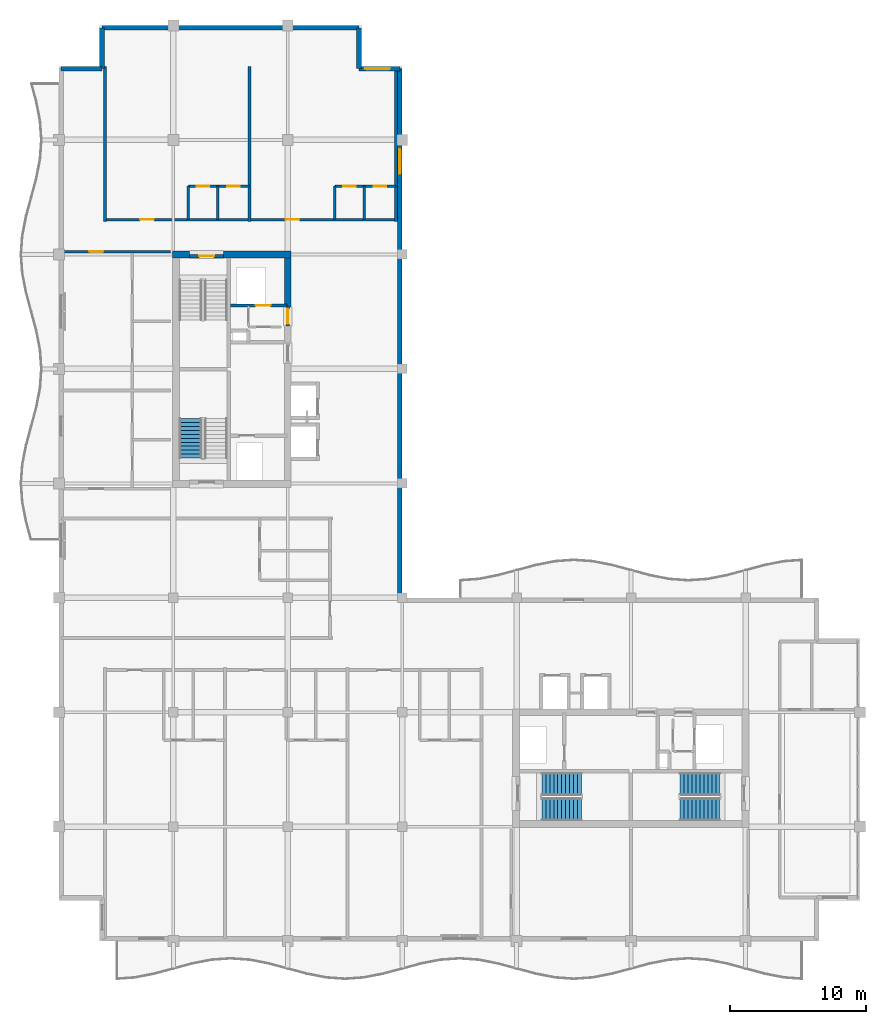
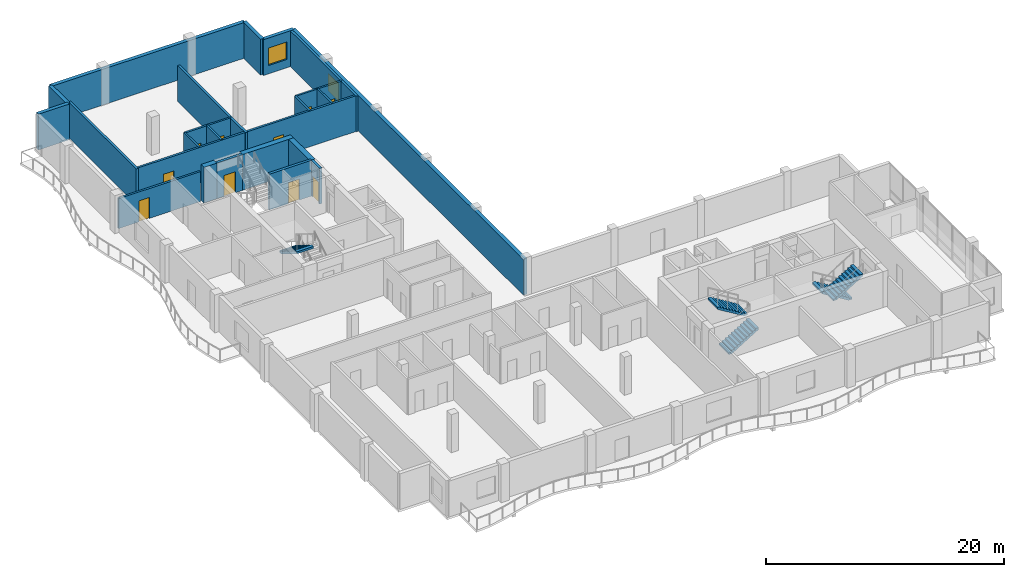
# One storey, part 10 of 14: 23 walls, 10 doors, 5 stair flights, 2 windows, 12 openings, 3 elements without a shape of their own.
"""IFC4 building model written with IfcOpenShell, lengths in metres."""

from ifc_helpers import new_model, si_unit, direction, frame, frame_2d, origin, place, context, subcontext, project, spatial, polyline, rectangle, outline, extrude, material, layer, layer_set, type_object, element, fill, aggregate, save


model = new_model("IFC4")

# Units and contexts
model_context = context("Model", 3, precision=1e-05, world=origin(), true_north=direction((0.0, 1.0)))
body_context = subcontext(model_context, "Body", "Model", "MODEL_VIEW")
ifc_project = project(units=[si_unit("LENGTHUNIT", "METRE"), si_unit("AREAUNIT", "SQUARE_METRE"), si_unit("VOLUMEUNIT", "CUBIC_METRE"), si_unit("PLANEANGLEUNIT", "RADIAN"), si_unit("MASSUNIT", "GRAM", prefix="KILO")], contexts=[model_context])

# Site, building, storey
site_placement = place(None, origin())
site = spatial("IfcSite", under=ifc_project, at=site_placement, CompositionType="ELEMENT")
building_placement = place(site_placement, origin())
building = spatial("IfcBuilding", under=site, at=building_placement, Name="Koriwani Terraces Tower", CompositionType="ELEMENT")
storey_placement = place(building_placement, frame((0.0, 0.0, 308.60009765625)))
storey = spatial("IfcBuildingStorey", under=building, at=storey_placement, Name="L76", CompositionType="ELEMENT", Elevation=308.60009765625)

# Walls
ifc_material_1 = material(Name="Concrete C50/60", Category="concrete")
ifc_layer_1 = layer(ifc_material_1, 0.5, Name="Concrete C50/60")
ifc_layer_set_1 = layer_set([ifc_layer_1], Name="Concrete C50/60")
wall_type_1 = type_object("IfcWallType", Name="WALL_CORE_RC_500", PredefinedType="SHEAR", material=ifc_layer_set_1)
wall_1_placement = place(storey_placement, frame((16.75, 58.800048828125, 0.0), z_axis=(0.0, 0.0, 1.0), x_axis=(1.0, 0.0, 0.0)))
element("IfcWall", 1, at=wall_1_placement, inside=storey, type_object=wall_type_1, Name="L76 West Split Core Shear Wall N1", PredefinedType="SHEAR", context=body_context, shape_type="SweptSolid", body=[
    extrude(rectangle(XDim=1.25, YDim=0.5, at=frame_2d((0.625, 0.0))), origin(), (0.0, 0.0, 1.0), 3.669921875),
])
wall_2_placement = place(storey_placement, frame((20.5, 58.800048828125, 0.0), z_axis=(0.0, 0.0, 1.0), x_axis=(1.0, 0.0, 0.0)))
element("IfcWall", 2, at=wall_2_placement, inside=storey, type_object=wall_type_1, Name="L76 West Split Core Shear Wall N2", PredefinedType="SHEAR", context=body_context, shape_type="SweptSolid", body=[
    extrude(rectangle(XDim=4.949951171875, YDim=0.5, at=frame_2d((2.47509765625, 0.0))), origin(), (0.0, 0.0, 1.0), 3.669921875),
])
wall_3_placement = place(storey_placement, frame((25.199951171875, 54.949951171875, 0.0), z_axis=(0.0, 0.0, 1.0), x_axis=(0.0, 1.0, 0.0)))
element("IfcWall", 3, at=wall_3_placement, inside=storey, type_object=wall_type_1, Name="L76 West Split Core Shear Wall E3", PredefinedType="SHEAR", context=body_context, shape_type="SweptSolid", body=[
    extrude(rectangle(XDim=3.60009765625, YDim=0.5, at=frame_2d((1.800048828125, 0.0))), origin(), (0.0, 0.0, 1.0), 3.669921875),
])

# Wall, opening, door
ifc_material_2 = material(Name="Autoclaved Cellular Concrete Blockwork", Category="masonry")
ifc_layer_2 = layer(ifc_material_2, 0.199951171875, Name="Autoclaved Cellular Concrete Blockwork")
ifc_layer_set_2 = layer_set([ifc_layer_2], Name="Autoclaved Cellular Concrete Blockwork")
wall_type_2 = type_object("IfcWallType", Name="WALL_CORRIDOR_200", PredefinedType="PARTITIONING", material=ifc_layer_set_2)
wall_4_placement = place(storey_placement, frame((8.64990234375, 59.0, 0.0), z_axis=(0.0, 0.0, 1.0), x_axis=(1.0, 0.0, 0.0)))
wall_4 = element("IfcWall", 4, at=wall_4_placement, inside=storey, type_object=wall_type_2, Name="L76 Interior Wall WRZ4-WN-L76", PredefinedType="PARTITIONING", context=body_context, shape_type="SweptSolid", body=[
    extrude(rectangle(XDim=7.9501953125, YDim=0.199951171875, at=frame_2d((3.97509765625, 0.0))), origin(), (0.0, 0.0, 1.0), 3.06982421875),
])
opening_1_placement = place(wall_4_placement, frame((2.0, 0.0, 0.0)))
opening_1 = element("IfcOpeningElement", 5, at=opening_1_placement, cuts=wall_4, Name="Opening D-05", PredefinedType="OPENING", context=body_context, shape_type="SweptSolid", body=[
    extrude(rectangle(XDim=1.0, YDim=2.14990234375, at=frame_2d((0.5, 1.074951171875))), frame((0.0, 0.10986328125, 0.0), z_axis=(0.0, -1.0, 0.0), x_axis=(1.0, 0.0, 0.0)), (0.0, 0.0, 1.0), 0.219970703125),
])
ifc_material_3 = material(Name="Architectural Oak Fire Door", Category="wood")
door_type_1 = type_object("IfcDoorType", Name="DOOR_SUITE_ENTRY_1000X2150", OperationType="NOTDEFINED", PredefinedType="DOOR", material=ifc_material_3)
door_1_placement = place(opening_1_placement, origin())
door_1 = element("IfcDoor", 6, at=door_1_placement, inside=storey, type_object=door_type_1, Name="Apartment 76RW2 Entrance Door", OperationType="SINGLE_SWING_LEFT", OverallHeight=2.14990234375, OverallWidth=1.0, PredefinedType="DOOR", context=body_context, shape_type="SweptSolid", body=[
    extrude(rectangle(XDim=1.0, YDim=2.14990234375, at=frame_2d((0.5, 1.074951171875))), frame((0.0, 0.02490234375, 0.0), z_axis=(0.0, -1.0, 0.0), x_axis=(1.0, 0.0, 0.0)), (0.0, 0.0, 1.0), 0.050048828125),
])
fill(opening_1, door_1)

# Wall, openings, doors
wall_5_placement = place(storey_placement, frame((11.800048828125, 61.35009765625, 0.0), z_axis=(0.0, 0.0, 1.0), x_axis=(1.0, 0.0, 0.0)))
wall_5 = element("IfcWall", 7, at=wall_5_placement, inside=storey, type_object=wall_type_2, Name="L76 Interior Wall WRCOR-L76-NTS-0", PredefinedType="PARTITIONING", context=body_context, shape_type="SweptSolid", body=[
    extrude(rectangle(XDim=21.349853515625, YDim=0.199951171875, at=frame_2d((10.6748046875, 0.0))), origin(), (0.0, 0.0, 1.0), 3.669921875),
])
opening_2_placement = place(wall_5_placement, frame((2.570068359375, 0.0, 0.0)))
opening_2 = element("IfcOpeningElement", 8, at=opening_2_placement, cuts=wall_5, Name="Opening D-05", PredefinedType="OPENING", context=body_context, shape_type="SweptSolid", body=[
    extrude(rectangle(XDim=1.0, YDim=2.14990234375, at=frame_2d((0.5, 1.074951171875))), frame((0.0, 0.10986328125, 0.0), z_axis=(0.0, -1.0, 0.0), x_axis=(1.0, 0.0, 0.0)), (0.0, 0.0, 1.0), 0.219970703125),
])
opening_3_placement = place(wall_5_placement, frame((13.2451171875, 0.0, 0.0)))
opening_3 = element("IfcOpeningElement", 9, at=opening_3_placement, cuts=wall_5, Name="Opening D-05", PredefinedType="OPENING", context=body_context, shape_type="SweptSolid", body=[
    extrude(rectangle(XDim=1.0, YDim=2.14990234375, at=frame_2d((0.5, 1.074951171875))), frame((0.0, 0.10986328125, 0.0), z_axis=(0.0, -1.0, 0.0), x_axis=(1.0, 0.0, 0.0)), (0.0, 0.0, 1.0), 0.219970703125),
])
door_2_placement = place(opening_2_placement, origin())
door_2 = element("IfcDoor", 10, at=door_2_placement, inside=storey, type_object=door_type_1, Name="Apartment 76NTS1 Entrance Door", OperationType="SINGLE_SWING_RIGHT", OverallHeight=2.14990234375, OverallWidth=1.0, PredefinedType="DOOR", context=body_context, shape_type="SweptSolid", body=[
    extrude(rectangle(XDim=1.0, YDim=2.14990234375, at=frame_2d((0.5, 1.074951171875))), frame((0.0, 0.02490234375, 0.0), z_axis=(0.0, -1.0, 0.0), x_axis=(1.0, 0.0, 0.0)), (0.0, 0.0, 1.0), 0.050048828125),
])
fill(opening_2, door_2)
door_3_placement = place(opening_3_placement, origin())
door_3 = element("IfcDoor", 11, at=door_3_placement, inside=storey, type_object=door_type_1, Name="Apartment 76NTS2 Entrance Door", OperationType="SINGLE_SWING_LEFT", OverallHeight=2.14990234375, OverallWidth=1.0, PredefinedType="DOOR", context=body_context, shape_type="SweptSolid", body=[
    extrude(rectangle(XDim=1.0, YDim=2.14990234375, at=frame_2d((0.5, 1.074951171875))), frame((0.0, 0.02490234375, 0.0), z_axis=(0.0, -1.0, 0.0), x_axis=(1.0, 0.0, 0.0)), (0.0, 0.0, 1.0), 0.050048828125),
])
fill(opening_3, door_3)

# Walls
ifc_layer_3 = layer(ifc_material_2, 0.219970703125, Name="Autoclaved Cellular Concrete Blockwork")
ifc_layer_set_3 = layer_set([ifc_layer_3], Name="Autoclaved Cellular Concrete Blockwork")
wall_type_3 = type_object("IfcWallType", Name="WALL_DEMISING_220", PredefinedType="PARTITIONING", material=ifc_layer_set_3)
for number, where, z_axis, x_axis, name in (
    (12, (11.800048828125, 61.199951171875, 0.0), (0.0, 0.0, 1.0), (0.0, 1.0, 0.0), "L76 Interior Wall WRDEM-L76-NTS-0"),
    (13, (22.39990234375, 61.199951171875, 0.0), (0.0, 0.0, 1.0), (0.0, 1.0, 0.0), "L76 Interior Wall WRDEM-L76-NTS-1"),
    (14, (33.14990234375, 61.199951171875, 0.0), (0.0, 0.0, 1.0), (0.0, 1.0, 0.0), "L76 Interior Wall WRDEME-L76-NTS"),
):
    element("IfcWall", number, at=place(storey_placement, frame(where, z_axis=z_axis, x_axis=x_axis)), inside=storey, type_object=wall_type_3, Name=name, PredefinedType="PARTITIONING", context=body_context, shape_type="SweptSolid", body=[
        extrude(rectangle(XDim=11.380126953125, YDim=0.219970703125, at=frame_2d((5.68994140625, 0.0))), origin(), (0.0, 0.0, 1.0), 3.669921875),
    ])
ifc_layer_4 = layer(ifc_material_1, 0.35009765625, Name="Concrete C50/60")
ifc_layer_set_4 = layer_set([ifc_layer_4], Name="Concrete C50/60")
wall_type_4 = type_object("IfcWallType", Name="WALL_EXT_BRUTALIST_350", PredefinedType="STANDARD", material=ifc_layer_set_4)
for number, where, z_axis, x_axis, name in (
    (15, (8.574951171875, 72.425048828125, 0.0), (0.0, 0.0, 1.0), (1.0, 0.0, 0.0), "L76 Fair-Faced Brutalist Exterior Wall (N3)"),
    (16, (11.574951171875, 72.425048828125, 0.0), (0.0, 0.0, 1.0), (0.0, 1.0, 0.0), "L76 Fair-Faced Brutalist Exterior Wall (N4)"),
):
    element("IfcWall", number, at=place(storey_placement, frame(where, z_axis=z_axis, x_axis=x_axis)), inside=storey, type_object=wall_type_4, Name=name, PredefinedType="STANDARD", context=body_context, shape_type="SweptSolid", body=[
        extrude(rectangle(XDim=3.0, YDim=0.35009765625, at=frame_2d((1.5, 0.0))), origin(), (0.0, 0.0, 1.0), 3.669921875),
    ])
wall_6_placement = place(storey_placement, frame((11.574951171875, 75.425048828125, 0.0), z_axis=(0.0, 0.0, 1.0), x_axis=(1.0, 0.0, 0.0)))
element("IfcWall", 17, at=wall_6_placement, inside=storey, type_object=wall_type_4, Name="L76 Fair-Faced Brutalist Exterior Wall (N_TIP)", PredefinedType="STANDARD", context=body_context, shape_type="SweptSolid", body=[
    extrude(rectangle(XDim=18.85009765625, YDim=0.35009765625, at=frame_2d((9.425048828125, 0.0))), origin(), (0.0, 0.0, 1.0), 3.669921875),
])
wall_7_placement = place(storey_placement, frame((30.425048828125, 75.425048828125, 0.0), z_axis=(0.0, 0.0, 1.0), x_axis=(0.0, -1.0, 0.0)))
element("IfcWall", 18, at=wall_7_placement, inside=storey, type_object=wall_type_4, Name="L76 Fair-Faced Brutalist Exterior Wall (N6)", PredefinedType="STANDARD", context=body_context, shape_type="SweptSolid", body=[
    extrude(rectangle(XDim=3.0, YDim=0.35009765625, at=frame_2d((1.5, 0.0))), origin(), (0.0, 0.0, 1.0), 3.669921875),
])

# Wall, opening, window
wall_8_placement = place(storey_placement, frame((30.425048828125, 72.425048828125, 0.0), z_axis=(0.0, 0.0, 1.0), x_axis=(1.0, 0.0, 0.0)))
wall_8 = element("IfcWall", 19, at=wall_8_placement, inside=storey, type_object=wall_type_4, Name="L76 Fair-Faced Brutalist Exterior Wall (N7)", PredefinedType="STANDARD", context=body_context, shape_type="SweptSolid", body=[
    extrude(rectangle(XDim=3.0, YDim=0.35009765625, at=frame_2d((1.5, 0.0))), origin(), (0.0, 0.0, 1.0), 3.669921875),
])
opening_4_placement = place(wall_8_placement, frame((0.472412109375, 0.0, 0.85009765625)))
opening_4 = element("IfcOpeningElement", 20, at=opening_4_placement, cuts=wall_8, Name="Opening W-04", PredefinedType="OPENING", context=body_context, shape_type="SweptSolid", body=[
    extrude(rectangle(XDim=1.800048828125, YDim=1.800048828125, at=frame_2d((0.89990234375, 0.89990234375))), frame((0.0, 0.18505859375, 0.0), z_axis=(0.0, -1.0, 0.0), x_axis=(1.0, 0.0, 0.0)), (0.0, 0.0, 1.0), 0.3701171875),
])
ifc_material_4 = material(Name="Tempered Laminated Low-E Glass", Category="glass")
window_type = type_object("IfcWindowType", Name="WIN_RES_BED_1800X1800", PartitioningType="DOUBLE_PANEL_VERTICAL", PredefinedType="WINDOW", material=ifc_material_4)
window_1_placement = place(opening_4_placement, origin())
window_1 = element("IfcWindow", 21, at=window_1_placement, inside=storey, type_object=window_type, Name="L76 Exterior Window (N7-R48)", OverallHeight=1.800048828125, OverallWidth=1.800048828125, PartitioningType="SINGLE_PANEL", PredefinedType="WINDOW", context=body_context, shape_type="SweptSolid", body=[
    extrude(rectangle(XDim=1.800048828125, YDim=1.800048828125, at=frame_2d((0.89990234375, 0.89990234375))), frame((0.0, 0.030029296875, 0.0), z_axis=(0.0, -1.0, 0.0), x_axis=(1.0, 0.0, 0.0)), (0.0, 0.0, 1.0), 0.06005859375),
])
fill(opening_4, window_1)

wall_9_placement = place(storey_placement, frame((33.425048828125, 72.425048828125, 0.0), z_axis=(0.0, 0.0, 1.0), x_axis=(0.0, -1.0, 0.0)))
wall_9 = element("IfcWall", 22, at=wall_9_placement, inside=storey, type_object=wall_type_4, Name="L76 Fair-Faced Brutalist Exterior Wall (NW_IN)", PredefinedType="STANDARD", context=body_context, shape_type="SweptSolid", body=[
    extrude(rectangle(XDim=39.0, YDim=0.35009765625, at=frame_2d((19.5, 0.0))), origin(), (0.0, 0.0, 1.0), 3.669921875),
])
opening_5_placement = place(wall_9_placement, frame((5.89990234375, 0.0, 0.85009765625)))
opening_5 = element("IfcOpeningElement", 23, at=opening_5_placement, cuts=wall_9, Name="Opening W-04", PredefinedType="OPENING", context=body_context, shape_type="SweptSolid", body=[
    extrude(rectangle(XDim=1.800048828125, YDim=1.800048828125, at=frame_2d((0.89990234375, 0.89990234375))), frame((0.0, 0.18505859375, 0.0), z_axis=(0.0, -1.0, 0.0), x_axis=(1.0, 0.0, 0.0)), (0.0, 0.0, 1.0), 0.3701171875),
])
window_2_placement = place(opening_5_placement, origin())
window_2 = element("IfcWindow", 24, at=window_2_placement, inside=storey, type_object=window_type, Name="L76 Exterior Window (NW_IN-R48)", OverallHeight=1.800048828125, OverallWidth=1.800048828125, PartitioningType="SINGLE_PANEL", PredefinedType="WINDOW", context=body_context, shape_type="SweptSolid", body=[
    extrude(rectangle(XDim=1.800048828125, YDim=1.800048828125, at=frame_2d((0.89990234375, 0.89990234375))), frame((0.0, 0.030029296875, 0.0), z_axis=(0.0, -1.0, 0.0), x_axis=(1.0, 0.0, 0.0)), (0.0, 0.0, 1.0), 0.06005859375),
])
fill(opening_5, window_2)

# Wall, openings, doors
ifc_material_5 = material(Name="Fire-Rated Acoustic Gypsum Partition", Category="masonry")
ifc_layer_5 = layer(ifc_material_5, 0.179931640625, Name="Fire-Rated Acoustic Gypsum Partition")
ifc_layer_set_5 = layer_set([ifc_layer_5], Name="Fire-Rated Acoustic Gypsum Partition")
wall_type_5 = type_object("IfcWallType", Name="WALL_PLUMBING_180", PredefinedType="PLUMBINGWALL", material=ifc_layer_set_5)
wall_10_placement = place(storey_placement, frame((17.89990234375, 63.800048828125, 0.0), z_axis=(0.0, 0.0, 1.0), x_axis=(1.0, 0.0, 0.0)))
wall_10 = element("IfcWall", 25, at=wall_10_placement, inside=storey, type_object=wall_type_5, Name="L76 Interior Wall WRSVC-L76-NTS-0", PredefinedType="PLUMBINGWALL", context=body_context, shape_type="SweptSolid", body=[
    extrude(rectangle(XDim=4.5, YDim=0.179931640625, at=frame_2d((2.25, 0.0))), origin(), (0.0, 0.0, 1.0), 3.669921875),
])
opening_6_placement = place(wall_10_placement, frame((0.6298828125, 0.0, 0.0)))
opening_6 = element("IfcOpeningElement", 26, at=opening_6_placement, cuts=wall_10, Name="Opening D-07", PredefinedType="OPENING", context=body_context, shape_type="SweptSolid", body=[
    extrude(rectangle(XDim=0.89990234375, YDim=2.10009765625, at=frame_2d((0.449951171875, 1.050048828125))), frame((0.0, 0.10009765625, 0.0), z_axis=(0.0, -1.0, 0.0), x_axis=(1.0, 0.0, 0.0)), (0.0, 0.0, 1.0), 0.199951171875),
])
opening_7_placement = place(wall_10_placement, frame((2.8701171875, 0.0, 0.0)))
opening_7 = element("IfcOpeningElement", 27, at=opening_7_placement, cuts=wall_10, Name="Opening D-06", PredefinedType="OPENING", context=body_context, shape_type="SweptSolid", body=[
    extrude(rectangle(XDim=0.919921875, YDim=2.10009765625, at=frame_2d((0.4599609375, 1.050048828125))), frame((0.0, 0.10009765625, 0.0), z_axis=(0.0, -1.0, 0.0), x_axis=(1.0, 0.0, 0.0)), (0.0, 0.0, 1.0), 0.199951171875),
])
door_type_2 = type_object("IfcDoorType", Name="DOOR_BATH_INT_900X2100", OperationType="NOTDEFINED", PredefinedType="DOOR", material=ifc_material_3)
door_4_placement = place(opening_6_placement, origin())
door_4 = element("IfcDoor", 28, at=door_4_placement, inside=storey, type_object=door_type_2, Name="Apartment 76NTS1 Bathroom Door", OperationType="SINGLE_SWING_LEFT", OverallHeight=2.10009765625, OverallWidth=0.89990234375, PredefinedType="DOOR", context=body_context, shape_type="SweptSolid", body=[
    extrude(rectangle(XDim=0.89990234375, YDim=2.10009765625, at=frame_2d((0.449951171875, 1.050048828125))), frame((0.0, 0.02490234375, 0.0), z_axis=(0.0, -1.0, 0.0), x_axis=(1.0, 0.0, 0.0)), (0.0, 0.0, 1.0), 0.050048828125),
])
fill(opening_6, door_4)
door_type_3 = type_object("IfcDoorType", Name="DOOR_ROOM_INT_920X2100", OperationType="NOTDEFINED", PredefinedType="DOOR", material=ifc_material_3)
door_5_placement = place(opening_7_placement, origin())
door_5 = element("IfcDoor", 29, at=door_5_placement, inside=storey, type_object=door_type_3, Name="Apartment 76NTS1 Kitchen Door", OperationType="SINGLE_SWING_RIGHT", OverallHeight=2.10009765625, OverallWidth=0.919921875, PredefinedType="DOOR", context=body_context, shape_type="SweptSolid", body=[
    extrude(rectangle(XDim=0.919921875, YDim=2.10009765625, at=frame_2d((0.4599609375, 1.050048828125))), frame((0.0, 0.02490234375, 0.0), z_axis=(0.0, -1.0, 0.0), x_axis=(1.0, 0.0, 0.0)), (0.0, 0.0, 1.0), 0.050048828125),
])
fill(opening_7, door_5)

# Walls
for number, where, z_axis, x_axis, name in (
    (30, (17.89990234375, 61.35009765625, 0.0), (0.0, 0.0, 1.0), (0.0, 1.0, 0.0), "L76 Interior Wall WRSVCS-L76-NTS-0"),
    (31, (20.06005859375, 61.35009765625, 0.0), (0.0, 0.0, 1.0), (0.0, 1.0, 0.0), "L76 Interior Wall WRSVCM-L76-NTS-0"),
):
    element("IfcWall", number, at=place(storey_placement, frame(where, z_axis=z_axis, x_axis=x_axis)), inside=storey, type_object=wall_type_5, Name=name, PredefinedType="PLUMBINGWALL", context=body_context, shape_type="SweptSolid", body=[
        extrude(rectangle(XDim=2.449951171875, YDim=0.179931640625, at=frame_2d((1.22509765625, 0.0))), origin(), (0.0, 0.0, 1.0), 3.669921875),
    ])

# Wall, openings, doors
wall_11_placement = place(storey_placement, frame((28.64990234375, 63.800048828125, 0.0), z_axis=(0.0, 0.0, 1.0), x_axis=(1.0, 0.0, 0.0)))
wall_11 = element("IfcWall", 32, at=wall_11_placement, inside=storey, type_object=wall_type_5, Name="L76 Interior Wall WRSVC-L76-NTS-1", PredefinedType="PLUMBINGWALL", context=body_context, shape_type="SweptSolid", body=[
    extrude(rectangle(XDim=4.5, YDim=0.179931640625, at=frame_2d((2.25, 0.0))), origin(), (0.0, 0.0, 1.0), 3.669921875),
])
opening_8_placement = place(wall_11_placement, frame((0.6298828125, 0.0, 0.0)))
opening_8 = element("IfcOpeningElement", 33, at=opening_8_placement, cuts=wall_11, Name="Opening D-07", PredefinedType="OPENING", context=body_context, shape_type="SweptSolid", body=[
    extrude(rectangle(XDim=0.89990234375, YDim=2.10009765625, at=frame_2d((0.449951171875, 1.050048828125))), frame((0.0, 0.10009765625, 0.0), z_axis=(0.0, -1.0, 0.0), x_axis=(1.0, 0.0, 0.0)), (0.0, 0.0, 1.0), 0.199951171875),
])
opening_9_placement = place(wall_11_placement, frame((2.8701171875, 0.0, 0.0)))
opening_9 = element("IfcOpeningElement", 34, at=opening_9_placement, cuts=wall_11, Name="Opening D-06", PredefinedType="OPENING", context=body_context, shape_type="SweptSolid", body=[
    extrude(rectangle(XDim=0.919921875, YDim=2.10009765625, at=frame_2d((0.4599609375, 1.050048828125))), frame((0.0, 0.10009765625, 0.0), z_axis=(0.0, -1.0, 0.0), x_axis=(1.0, 0.0, 0.0)), (0.0, 0.0, 1.0), 0.199951171875),
])
door_6_placement = place(opening_8_placement, origin())
door_6 = element("IfcDoor", 35, at=door_6_placement, inside=storey, type_object=door_type_2, Name="Apartment 76NTS2 Bathroom Door", OperationType="SINGLE_SWING_RIGHT", OverallHeight=2.10009765625, OverallWidth=0.89990234375, PredefinedType="DOOR", context=body_context, shape_type="SweptSolid", body=[
    extrude(rectangle(XDim=0.89990234375, YDim=2.10009765625, at=frame_2d((0.449951171875, 1.050048828125))), frame((0.0, 0.02490234375, 0.0), z_axis=(0.0, -1.0, 0.0), x_axis=(1.0, 0.0, 0.0)), (0.0, 0.0, 1.0), 0.050048828125),
])
fill(opening_8, door_6)
door_7_placement = place(opening_9_placement, origin())
door_7 = element("IfcDoor", 36, at=door_7_placement, inside=storey, type_object=door_type_3, Name="Apartment 76NTS2 Kitchen Door", OperationType="SINGLE_SWING_LEFT", OverallHeight=2.10009765625, OverallWidth=0.919921875, PredefinedType="DOOR", context=body_context, shape_type="SweptSolid", body=[
    extrude(rectangle(XDim=0.919921875, YDim=2.10009765625, at=frame_2d((0.4599609375, 1.050048828125))), frame((0.0, 0.02490234375, 0.0), z_axis=(0.0, -1.0, 0.0), x_axis=(1.0, 0.0, 0.0)), (0.0, 0.0, 1.0), 0.050048828125),
])
fill(opening_9, door_7)

# Walls
for number, where, z_axis, x_axis, name in (
    (37, (28.64990234375, 61.35009765625, 0.0), (0.0, 0.0, 1.0), (0.0, 1.0, 0.0), "L76 Interior Wall WRSVCS-L76-NTS-1"),
    (38, (30.81005859375, 61.35009765625, 0.0), (0.0, 0.0, 1.0), (0.0, 1.0, 0.0), "L76 Interior Wall WRSVCM-L76-NTS-1"),
):
    element("IfcWall", number, at=place(storey_placement, frame(where, z_axis=z_axis, x_axis=x_axis)), inside=storey, type_object=wall_type_5, Name=name, PredefinedType="PLUMBINGWALL", context=body_context, shape_type="SweptSolid", body=[
        extrude(rectangle(XDim=2.449951171875, YDim=0.179931640625, at=frame_2d((1.22509765625, 0.0))), origin(), (0.0, 0.0, 1.0), 3.669921875),
    ])

# Wall, opening, door
ifc_material_6 = material(Name="Concrete C40/50", Category="concrete")
ifc_layer_6 = layer(ifc_material_6, 0.25, Name="Concrete C40/50")
ifc_layer_set_6 = layer_set([ifc_layer_6], Name="Concrete C40/50")
wall_type_6 = type_object("IfcWallType", Name="WALL_SHAFT_RATED_250", PredefinedType="SOLIDWALL", material=ifc_layer_set_6)
wall_12_placement = place(storey_placement, frame((18.0, 58.675048828125, 0.0), z_axis=(0.0, 0.0, 1.0), x_axis=(1.0, 0.0, 0.0)))
wall_12 = element("IfcWall", 39, at=wall_12_placement, inside=storey, type_object=wall_type_6, Name="L76 Interior Wall WIN-CW-L76-STN", PredefinedType="SOLIDWALL", context=body_context, shape_type="SweptSolid", body=[
    extrude(rectangle(XDim=2.5, YDim=0.25, at=frame_2d((1.25, 0.0))), origin(), (0.0, 0.0, 1.0), 3.669921875),
])
opening_10_placement = place(wall_12_placement, frame((0.699951171875, 0.0, 0.0)))
opening_10 = element("IfcOpeningElement", 40, at=opening_10_placement, cuts=wall_12, Name="Opening D-03", PredefinedType="OPENING", context=body_context, shape_type="SweptSolid", body=[
    extrude(rectangle(XDim=1.10009765625, YDim=2.14990234375, at=frame_2d((0.550048828125, 1.074951171875))), frame((0.0, 0.135009765625, 0.0), z_axis=(0.0, -1.0, 0.0), x_axis=(1.0, 0.0, 0.0)), (0.0, 0.0, 1.0), 0.27001953125),
])
ifc_material_7 = material(Name="Steel ASTM A572 Grade 50", Category="steel")
door_type_4 = type_object("IfcDoorType", Name="DOOR_STAIR_FIRE_1100X2150", OperationType="NOTDEFINED", PredefinedType="DOOR", material=ifc_material_7)
door_8_placement = place(opening_10_placement, origin())
door_8 = element("IfcDoor", 41, at=door_8_placement, inside=storey, type_object=door_type_4, Name="L76 Exit Stair ST-W2 Door", OperationType="SINGLE_SWING_LEFT", OverallHeight=2.14990234375, OverallWidth=1.10009765625, PredefinedType="DOOR", context=body_context, shape_type="SweptSolid", body=[
    extrude(rectangle(XDim=1.10009765625, YDim=2.14990234375, at=frame_2d((0.550048828125, 1.074951171875))), frame((0.0, 0.02490234375, 0.0), z_axis=(0.0, -1.0, 0.0), x_axis=(1.0, 0.0, 0.0)), (0.0, 0.0, 1.0), 0.050048828125),
])
fill(opening_10, door_8)

wall_13_placement = place(storey_placement, frame((21.0, 55.050048828125, 0.0), z_axis=(0.0, 0.0, 1.0), x_axis=(1.0, 0.0, 0.0)))
wall_13 = element("IfcWall", 42, at=wall_13_placement, inside=storey, type_object=wall_type_6, Name="L76 Interior Wall WIN-CW-L76-SE", PredefinedType="SOLIDWALL", context=body_context, shape_type="SweptSolid", body=[
    extrude(rectangle(XDim=4.14990234375, YDim=0.25, at=frame_2d((2.074951171875, 0.0))), origin(), (0.0, 0.0, 1.0), 3.669921875),
])
opening_11_placement = place(wall_13_placement, frame((1.85009765625, 0.0, 0.0)))
opening_11 = element("IfcOpeningElement", 43, at=opening_11_placement, cuts=wall_13, Name="Opening LD-01", PredefinedType="OPENING", context=body_context, shape_type="SweptSolid", body=[
    extrude(rectangle(XDim=1.10009765625, YDim=2.14990234375, at=frame_2d((0.550048828125, 1.074951171875))), frame((0.0, 0.135009765625, 0.0), z_axis=(0.0, -1.0, 0.0), x_axis=(1.0, 0.0, 0.0)), (0.0, 0.0, 1.0), 0.27001953125),
])
door_type_5 = type_object("IfcDoorType", Name="DOOR_LIFT_LANDING_1100X2200", OperationType="NOTDEFINED", PredefinedType="DOOR", material=ifc_material_7)
door_9_placement = place(opening_11_placement, origin())
door_9 = element("IfcDoor", 44, at=door_9_placement, inside=storey, type_object=door_type_5, Name="L76 Goods Lift SE-01 Landing Door", OperationType="SLIDING_TO_LEFT", OverallHeight=2.14990234375, OverallWidth=1.10009765625, PredefinedType="DOOR", context=body_context, shape_type="SweptSolid", body=[
    extrude(rectangle(XDim=1.10009765625, YDim=2.14990234375, at=frame_2d((0.550048828125, 1.074951171875))), frame((0.0, 0.02490234375, 0.0), z_axis=(0.0, -1.0, 0.0), x_axis=(1.0, 0.0, 0.0)), (0.0, 0.0, 1.0), 0.050048828125),
])
fill(opening_11, door_9)

wall_14_placement = place(storey_placement, frame((25.199951171875, 53.550048828125, 0.0), z_axis=(0.0, 0.0, 1.0), x_axis=(0.0, 1.0, 0.0)))
wall_14 = element("IfcWall", 45, at=wall_14_placement, inside=storey, type_object=wall_type_6, Name="L76 Interior Wall WIN-CW-L76-EP2", PredefinedType="SOLIDWALL", context=body_context, shape_type="SweptSolid", body=[
    extrude(rectangle(XDim=1.39990234375, YDim=0.25, at=frame_2d((0.699951171875, 0.0))), origin(), (0.0, 0.0, 1.0), 3.669921875),
])
opening_12_placement = place(wall_14_placement, frame((0.14990234375, 0.0, 0.0)))
opening_12 = element("IfcOpeningElement", 46, at=opening_12_placement, cuts=wall_14, Name="Opening D-03", PredefinedType="OPENING", context=body_context, shape_type="SweptSolid", body=[
    extrude(rectangle(XDim=1.10009765625, YDim=2.14990234375, at=frame_2d((0.550048828125, 1.074951171875))), frame((0.0, 0.135009765625, 0.0), z_axis=(0.0, -1.0, 0.0), x_axis=(1.0, 0.0, 0.0)), (0.0, 0.0, 1.0), 0.27001953125),
])
door_10_placement = place(opening_12_placement, origin())
door_10 = element("IfcDoor", 47, at=door_10_placement, inside=storey, type_object=door_type_4, Name="L76 West Goods Lift Lobby Door", OperationType="SINGLE_SWING_LEFT", OverallHeight=2.14990234375, OverallWidth=1.10009765625, PredefinedType="DOOR", context=body_context, shape_type="SweptSolid", body=[
    extrude(rectangle(XDim=1.10009765625, YDim=2.14990234375, at=frame_2d((0.550048828125, 1.074951171875))), frame((0.0, 0.02490234375, 0.0), z_axis=(0.0, -1.0, 0.0), x_axis=(1.0, 0.0, 0.0)), (0.0, 0.0, 1.0), 0.050048828125),
])
fill(opening_12, door_10)

# Stair, stair flight
stair_type = type_object("IfcStairType", Name="STAIR_CORE_DOGLEG_1650", PredefinedType="TWO_STRAIGHT_RUN_STAIR", material=ifc_material_6)
stair_1_placement = place(storey_placement, origin())
stair_1 = element("IfcStair", 48, at=stair_1_placement, inside=storey, type_object=stair_type, Name="L76 West Core Exit Stair 1", PredefinedType="HALF_TURN_STAIR")
stair_flight_type = type_object("IfcStairFlightType", Name="STAIR_FLIGHT_RC_1650", PredefinedType="STRAIGHT", material=ifc_material_6)
stair_flight_1_placement = place(storey_placement, frame((18.074951171875, 46.75, 1.949951171875), z_axis=(0.0, 0.0, 1.0), x_axis=(0.0, -1.0, 0.0)))
stair_flight_1 = element("IfcStairFlight", 49, at=stair_flight_1_placement, type_object=stair_flight_type, Name="ST-W1 flight 2", NumberOfRisers=11, NumberOfTreads=10, PredefinedType="STRAIGHT", RiserHeight=0.177272727, TreadLength=0.29, context=body_context, shape_type="SweptSolid", body=[
    extrude(outline(polyline([(0.0, 0.0), (0.0, 0.17724609375), (0.2900390625, 0.17724609375), (0.2900390625, 0.3544921875), (0.580078125, 0.3544921875), (0.580078125, 0.53173828125), (0.8701171875, 0.53173828125), (0.8701171875, 0.708984375), (1.159912109375, 0.708984375), (1.159912109375, 0.886474609375), (1.449951171875, 0.886474609375), (1.449951171875, 1.063720703125), (1.739990234375, 1.063720703125), (1.739990234375, 1.240966796875), (2.030029296875, 1.240966796875), (2.030029296875, 1.418212890625), (2.320068359375, 1.418212890625), (2.320068359375, 1.595458984375), (2.610107421875, 1.595458984375), (2.610107421875, 1.772705078125), (2.89990234375, 1.772705078125), (2.89990234375, 1.949951171875), (2.89990234375, 1.561767578125), (0.344970703125, 0.0), (0.0, 0.0)])), frame((0.0, 0.824951171875, 0.0), z_axis=(0.0, -1.0, 0.0), x_axis=(1.0, 0.0, 0.0)), (0.0, 0.0, 1.0), 1.64990234375),
])
aggregate(stair_1, [stair_flight_1])

# Stair, stair flights
stair_2_placement = place(storey_placement, origin())
stair_2 = element("IfcStair", 50, at=stair_2_placement, inside=storey, type_object=stair_type, Name="L76 East Core Exit Stair 1", PredefinedType="HALF_TURN_STAIR")
stair_flight_2_placement = place(storey_placement, frame((43.85009765625, 18.074951171875, 0.0), z_axis=(0.0, 0.0, 1.0), x_axis=(1.0, 0.0, 0.0)))
stair_flight_2 = element("IfcStairFlight", 51, at=stair_flight_2_placement, type_object=stair_flight_type, Name="ST-E1 flight 1", NumberOfRisers=11, NumberOfTreads=10, PredefinedType="STRAIGHT", RiserHeight=0.177272727, TreadLength=0.29, context=body_context, shape_type="SweptSolid", body=[
    extrude(outline(polyline([(0.0, 0.0), (0.0, 0.17724609375), (0.2900390625, 0.17724609375), (0.2900390625, 0.3544921875), (0.580078125, 0.3544921875), (0.580078125, 0.53173828125), (0.8701171875, 0.53173828125), (0.8701171875, 0.708984375), (1.159912109375, 0.708984375), (1.159912109375, 0.886474609375), (1.449951171875, 0.886474609375), (1.449951171875, 1.063720703125), (1.739990234375, 1.063720703125), (1.739990234375, 1.240966796875), (2.030029296875, 1.240966796875), (2.030029296875, 1.418212890625), (2.320068359375, 1.418212890625), (2.320068359375, 1.595458984375), (2.610107421875, 1.595458984375), (2.610107421875, 1.772705078125), (2.89990234375, 1.772705078125), (2.89990234375, 1.949951171875), (2.89990234375, 1.561767578125), (0.344970703125, 0.0), (0.0, 0.0)])), frame((0.0, 0.824951171875, 0.0), z_axis=(0.0, -1.0, 0.0), x_axis=(1.0, 0.0, 0.0)), (0.0, 0.0, 1.0), 1.64990234375),
])
stair_flight_3_placement = place(storey_placement, frame((46.75, 19.925048828125, 1.949951171875), z_axis=(0.0, 0.0, 1.0), x_axis=(-1.0, 0.0, 0.0)))
stair_flight_3 = element("IfcStairFlight", 52, at=stair_flight_3_placement, type_object=stair_flight_type, Name="ST-E1 flight 2", NumberOfRisers=11, NumberOfTreads=10, PredefinedType="STRAIGHT", RiserHeight=0.177272727, TreadLength=0.29, context=body_context, shape_type="SweptSolid", body=[
    extrude(outline(polyline([(0.0, 0.0), (0.0, 0.17724609375), (0.2900390625, 0.17724609375), (0.2900390625, 0.3544921875), (0.580078125, 0.3544921875), (0.580078125, 0.53173828125), (0.8701171875, 0.53173828125), (0.8701171875, 0.708984375), (1.159912109375, 0.708984375), (1.159912109375, 0.886474609375), (1.449951171875, 0.886474609375), (1.449951171875, 1.063720703125), (1.739990234375, 1.063720703125), (1.739990234375, 1.240966796875), (2.030029296875, 1.240966796875), (2.030029296875, 1.418212890625), (2.320068359375, 1.418212890625), (2.320068359375, 1.595458984375), (2.610107421875, 1.595458984375), (2.610107421875, 1.772705078125), (2.89990234375, 1.772705078125), (2.89990234375, 1.949951171875), (2.89990234375, 1.561767578125), (0.344970703125, 0.0), (0.0, 0.0)])), frame((0.0, 0.824951171875, 0.0), z_axis=(0.0, -1.0, 0.0), x_axis=(1.0, 0.0, 0.0)), (0.0, 0.0, 1.0), 1.64990234375),
])
aggregate(stair_2, [stair_flight_2, stair_flight_3])

stair_3_placement = place(storey_placement, origin())
stair_3 = element("IfcStair", 53, at=stair_3_placement, inside=storey, type_object=stair_type, Name="L76 East Core Exit Stair 2", PredefinedType="HALF_TURN_STAIR")
stair_flight_4_placement = place(storey_placement, frame((56.89990234375, 19.925048828125, 0.0), z_axis=(0.0, 0.0, 1.0), x_axis=(-1.0, 0.0, 0.0)))
stair_flight_4 = element("IfcStairFlight", 54, at=stair_flight_4_placement, type_object=stair_flight_type, Name="ST-E2 flight 1", NumberOfRisers=11, NumberOfTreads=10, PredefinedType="STRAIGHT", RiserHeight=0.177272727, TreadLength=0.29, context=body_context, shape_type="SweptSolid", body=[
    extrude(outline(polyline([(0.0, 0.0), (0.0, 0.17724609375), (0.2900390625, 0.17724609375), (0.2900390625, 0.3544921875), (0.580078125, 0.3544921875), (0.580078125, 0.53173828125), (0.8701171875, 0.53173828125), (0.8701171875, 0.708984375), (1.159912109375, 0.708984375), (1.159912109375, 0.886474609375), (1.449951171875, 0.886474609375), (1.449951171875, 1.063720703125), (1.739990234375, 1.063720703125), (1.739990234375, 1.240966796875), (2.030029296875, 1.240966796875), (2.030029296875, 1.418212890625), (2.320068359375, 1.418212890625), (2.320068359375, 1.595458984375), (2.610107421875, 1.595458984375), (2.610107421875, 1.772705078125), (2.89990234375, 1.772705078125), (2.89990234375, 1.949951171875), (2.89990234375, 1.561767578125), (0.344970703125, 0.0), (0.0, 0.0)])), frame((0.0, 0.824951171875, 0.0), z_axis=(0.0, -1.0, 0.0), x_axis=(1.0, 0.0, 0.0)), (0.0, 0.0, 1.0), 1.64990234375),
])
stair_flight_5_placement = place(storey_placement, frame((54.0, 18.074951171875, 1.949951171875), z_axis=(0.0, 0.0, 1.0), x_axis=(1.0, 0.0, 0.0)))
stair_flight_5 = element("IfcStairFlight", 55, at=stair_flight_5_placement, type_object=stair_flight_type, Name="ST-E2 flight 2", NumberOfRisers=11, NumberOfTreads=10, PredefinedType="STRAIGHT", RiserHeight=0.177272727, TreadLength=0.29, context=body_context, shape_type="SweptSolid", body=[
    extrude(outline(polyline([(0.0, 0.0), (0.0, 0.17724609375), (0.2900390625, 0.17724609375), (0.2900390625, 0.3544921875), (0.580078125, 0.3544921875), (0.580078125, 0.53173828125), (0.8701171875, 0.53173828125), (0.8701171875, 0.708984375), (1.159912109375, 0.708984375), (1.159912109375, 0.886474609375), (1.449951171875, 0.886474609375), (1.449951171875, 1.063720703125), (1.739990234375, 1.063720703125), (1.739990234375, 1.240966796875), (2.030029296875, 1.240966796875), (2.030029296875, 1.418212890625), (2.320068359375, 1.418212890625), (2.320068359375, 1.595458984375), (2.610107421875, 1.595458984375), (2.610107421875, 1.772705078125), (2.89990234375, 1.772705078125), (2.89990234375, 1.949951171875), (2.89990234375, 1.561767578125), (0.344970703125, 0.0), (0.0, 0.0)])), frame((0.0, 0.824951171875, 0.0), z_axis=(0.0, -1.0, 0.0), x_axis=(1.0, 0.0, 0.0)), (0.0, 0.0, 1.0), 1.64990234375),
])
aggregate(stair_3, [stair_flight_4, stair_flight_5])

save(model, "model.ifc")
